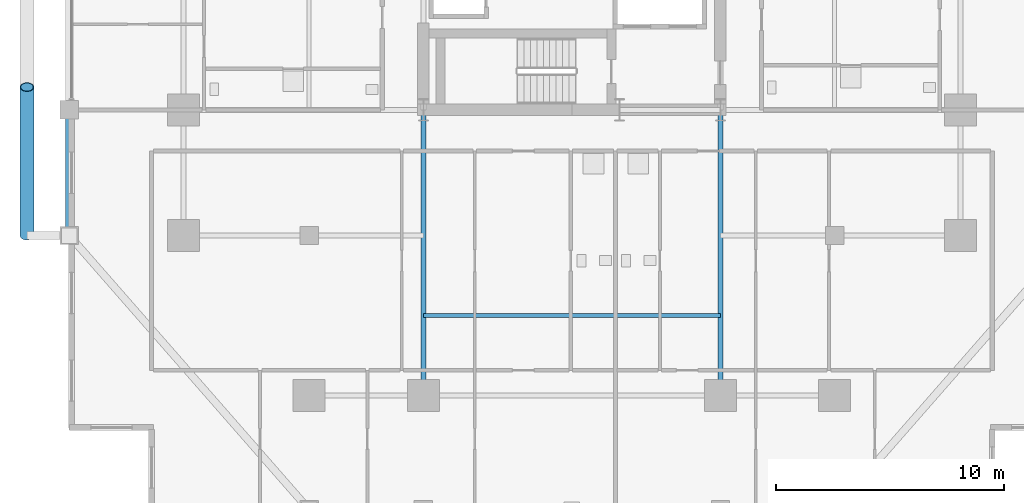
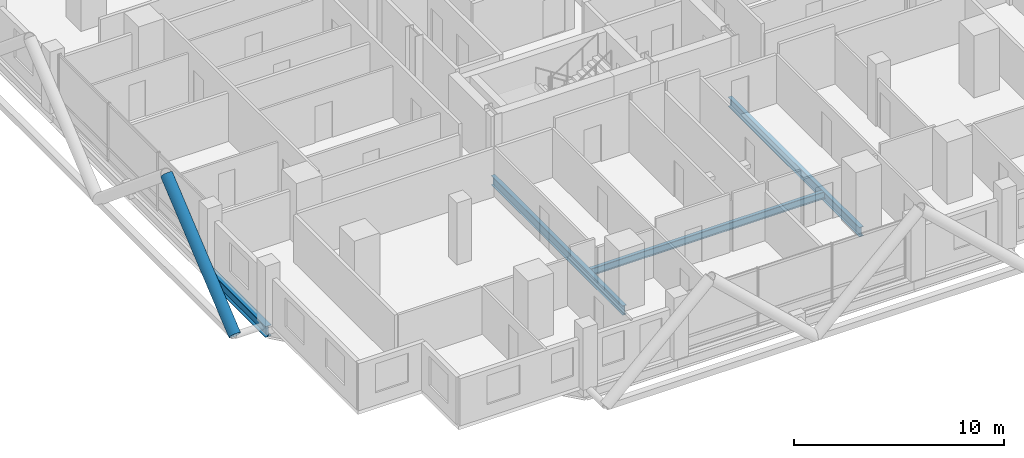
# One storey, part 5 of 27: 4 beams, 1 member.
"""IFC4 building model written with IfcOpenShell, lengths in metres."""

from ifc_helpers import new_model, si_unit, direction, frame, origin, origin_2d, place, context, subcontext, project, spatial, hollow_circle, i_section, extrude, material, material_profile, profile_set, type_object, element, save


model = new_model("IFC4")

# Units and contexts
model_context = context("Model", 3, precision=1e-05, world=origin(), true_north=direction((0.0, 1.0)))
body_context = subcontext(model_context, "Body", "Model", "MODEL_VIEW")
ifc_project = project(units=[si_unit("LENGTHUNIT", "METRE"), si_unit("AREAUNIT", "SQUARE_METRE"), si_unit("VOLUMEUNIT", "CUBIC_METRE"), si_unit("PLANEANGLEUNIT", "RADIAN"), si_unit("MASSUNIT", "GRAM", prefix="KILO")], contexts=[model_context])

# Site, building, storey
site_placement = place(None, origin())
site = spatial("IfcSite", under=ifc_project, at=site_placement, CompositionType="ELEMENT")
building_placement = place(site_placement, origin())
building = spatial("IfcBuilding", under=site, at=building_placement, Name="Barlavira Tower and Art Museum", CompositionType="ELEMENT")
storey_placement = place(building_placement, frame((0.0, 0.0, 50.39990234375)))
storey = spatial("IfcBuildingStorey", under=building, at=storey_placement, Name="L11", CompositionType="ELEMENT", Elevation=50.39990234375)

# Member
ifc_material = material(Name="Steel S355", Category="steel")
ifc_material_profile_1 = material_profile(ifc_material, hollow_circle(Radius=0.304931640625, WallThickness=0.028076171875, at=origin_2d()), Name="CHS 610.0x28.0")
ifc_profile_set_1 = profile_set([ifc_material_profile_1], Name="Steel S355")
member_type = type_object("IfcMemberType", Name="Pale-Metal Exoskeleton Diagrid Tube CHS 610x28 Steel S355", PredefinedType="BRACE", material=ifc_profile_set_1)
member_placement = place(storey_placement, frame((-23.85009765625, -13.0, -0.119873046875), z_axis=(0.0, 0.769196053329, 0.639012857104), x_axis=(-1.0, 0.0, 0.0)))
element("IfcMember", 1, at=member_placement, inside=storey, type_object=member_type, Name="L11 Exoskeleton Diagrid Tube W", PredefinedType="BRACE", context=body_context, shape_type="SweptSolid", body=[
    extrude(hollow_circle(Radius=0.304931640625, WallThickness=0.028076171875, at=origin_2d()), origin(), (0.0, 0.0, 1.0), 8.450439453125),
])

# Beams
ifc_material_profile_2 = material_profile(ifc_material, i_section(OverallWidth=0.327880859375, OverallDepth=0.62890625, WebThickness=0.013916015625, FlangeThickness=0.021484375, at=origin_2d()), Name="W610x174.0")
ifc_profile_set_2 = profile_set([ifc_material_profile_2], Name="Steel S355")
beam_type_1 = type_object("IfcBeamType", Name="Perimeter Spandrel Edge Beam W610x174 Steel S355", PredefinedType="SPANDREL", material=ifc_profile_set_2)
beam_1_placement = place(storey_placement, frame((-22.0, -13.0, -0.534423828125), z_axis=(0.0, 1.0, 0.0), x_axis=(-1.0, 0.0, 0.0)))
element("IfcBeam", 2, at=beam_1_placement, inside=storey, type_object=beam_type_1, Name="L11 Spandrel 15", PredefinedType="SPANDREL", context=body_context, shape_type="SweptSolid", body=[
    extrude(i_section(OverallWidth=0.327880859375, OverallDepth=0.62890625, WebThickness=0.013916015625, FlangeThickness=0.021484375, at=origin_2d()), origin(), (0.0, 0.0, 1.0), 5.5),
])
ifc_material_profile_3 = material_profile(ifc_material, i_section(OverallWidth=0.180908203125, OverallDepth=0.4169921875, WebThickness=0.010986328125, FlangeThickness=0.018310546875, at=origin_2d()), Name="W410x85.0")
ifc_profile_set_3 = profile_set([ifc_material_profile_3], Name="Steel S355")
beam_type_2 = type_object("IfcBeamType", Name="Zone 1 Composite Floor Joist W410x85 Steel S355", PredefinedType="JOIST", material=ifc_profile_set_3)
beam_2_placement = place(storey_placement, frame((-6.5, -16.5, -0.428466796875), z_axis=(1.0, 0.0, 0.0), x_axis=(0.0, 1.0, 0.0)))
element("IfcBeam", 3, at=beam_2_placement, inside=storey, type_object=beam_type_2, Name="L11 Joist C1", PredefinedType="JOIST", context=body_context, shape_type="SweptSolid", body=[
    extrude(i_section(OverallWidth=0.180908203125, OverallDepth=0.4169921875, WebThickness=0.010986328125, FlangeThickness=0.018310546875, at=origin_2d()), origin(), (0.0, 0.0, 1.0), 13.0),
])
ifc_material_profile_4 = material_profile(ifc_material, i_section(OverallWidth=0.214111328125, OverallDepth=0.549072265625, WebThickness=0.0146484375, FlangeThickness=0.023681640625, at=origin_2d()), Name="W530x138.0")
ifc_profile_set_4 = profile_set([ifc_material_profile_4], Name="Steel S355")
beam_type_3 = type_object("IfcBeamType", Name="Zone 1 Primary Floor Girder W530x138 Steel S355", PredefinedType="BEAM", material=ifc_profile_set_4)
for number, where, z_axis, x_axis, name in (
    (4, (-6.5, -20.0, -0.494384765625), (0.0, 1.0, 0.0), (-1.0, 0.0, 0.0), "L11 Girder R-S1"),
    (5, (6.5, -20.0, -0.494384765625), (0.0, 1.0, 0.0), (-1.0, 0.0, 0.0), "L11 Girder R-S2"),
):
    element("IfcBeam", number, at=place(storey_placement, frame(where, z_axis=z_axis, x_axis=x_axis)), inside=storey, type_object=beam_type_3, Name=name, PredefinedType="BEAM", context=body_context, shape_type="SweptSolid", body=[
        extrude(i_section(OverallWidth=0.214111328125, OverallDepth=0.549072265625, WebThickness=0.0146484375, FlangeThickness=0.023681640625, at=origin_2d()), origin(), (0.0, 0.0, 1.0), 12.5),
    ])

save(model, "model.ifc")
